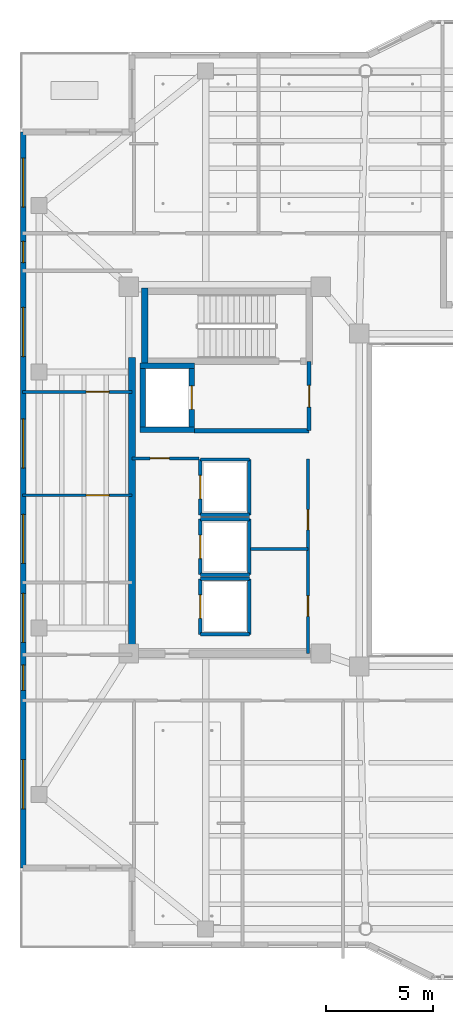
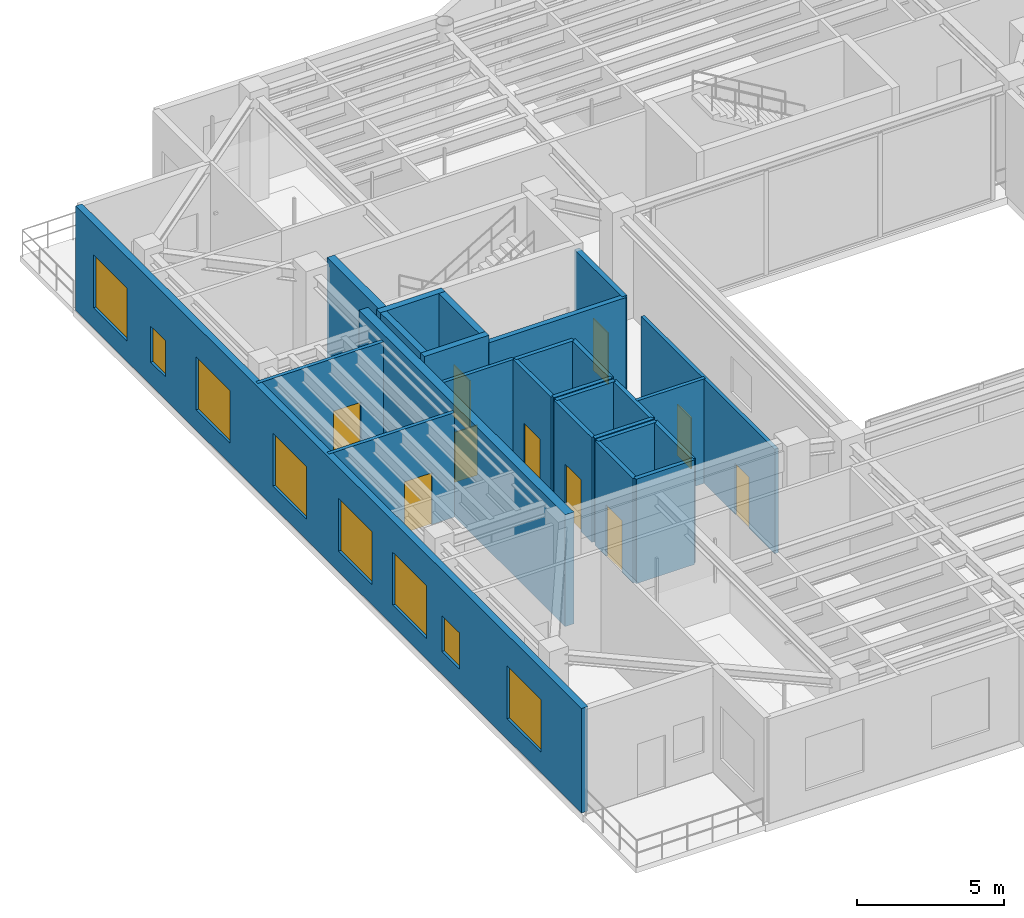
# One storey, part 12 of 23: 26 walls, 10 doors, 8 windows, 18 openings.
"""IFC4 building model written with IfcOpenShell, lengths in metres."""

from ifc_helpers import new_model, si_unit, direction, frame, frame_2d, origin, place, context, subcontext, project, spatial, rectangle, extrude, material, layer, layer_set, type_object, element, fill, save


model = new_model("IFC4")

# Units and contexts
model_context = context("Model", 3, precision=1e-05, world=origin(), true_north=direction((0.0, 1.0)))
body_context = subcontext(model_context, "Body", "Model", "MODEL_VIEW")
ifc_project = project(units=[si_unit("LENGTHUNIT", "METRE"), si_unit("AREAUNIT", "SQUARE_METRE"), si_unit("VOLUMEUNIT", "CUBIC_METRE"), si_unit("PLANEANGLEUNIT", "RADIAN"), si_unit("MASSUNIT", "GRAM", prefix="KILO")], contexts=[model_context])

# Site, building, storey
site_placement = place(None, origin())
site = spatial("IfcSite", under=ifc_project, at=site_placement, CompositionType="ELEMENT")
building_placement = place(site_placement, origin())
building = spatial("IfcBuilding", under=site, at=building_placement, Name="Tarnavaz Court Tower", CompositionType="ELEMENT")
storey_placement = place(building_placement, frame((0.0, 0.0, 227.10009765625)))
storey = spatial("IfcBuildingStorey", under=building, at=storey_placement, Name="L62", CompositionType="ELEMENT", Elevation=227.10009765625)

# Wall
ifc_material_1 = material(Name="Concrete C50/60", Category="concrete")
ifc_layer_1 = layer(ifc_material_1, 0.25)
ifc_layer_set_1 = layer_set([ifc_layer_1], Name="Concrete C50/60")
wall_type_1 = type_object("IfcWallType", Name="WL-CORE-250-C50", PredefinedType="SHEAR", material=ifc_layer_set_1)
wall_1_placement = place(storey_placement, frame((-17.949951171875, 3.175048828125, 0.0), z_axis=(0.0, 0.0, 1.0), x_axis=(0.0, 1.0, 0.0)))
element("IfcWall", 1, at=wall_1_placement, inside=storey, type_object=wall_type_1, Name="L62 Lift FL-W1 Shaft Wall 017", PredefinedType="SHEAR", context=body_context, shape_type="SweptSolid", body=[
    extrude(rectangle(XDim=3.25, YDim=0.25, at=frame_2d((1.625, 0.0))), origin(), (0.0, 0.0, 1.0), 4.64990234375),
])

# Wall, opening, door
wall_2_placement = place(storey_placement, frame((-15.64990234375, 3.175048828125, 0.0), z_axis=(0.0, 0.0, 1.0), x_axis=(0.0, 1.0, 0.0)))
wall_2 = element("IfcWall", 2, at=wall_2_placement, inside=storey, type_object=wall_type_1, Name="L62 Lift FL-W1 Shaft Wall 018", PredefinedType="SHEAR", context=body_context, shape_type="SweptSolid", body=[
    extrude(rectangle(XDim=3.25, YDim=0.25, at=frame_2d((1.625, 0.0))), origin(), (0.0, 0.0, 1.0), 4.64990234375),
])
opening_1_placement = place(wall_2_placement, frame((1.074951171875, 0.0, 0.0)))
opening_1 = element("IfcOpeningElement", 3, at=opening_1_placement, cuts=wall_2, Name="Opening LD1", PredefinedType="OPENING", context=body_context, shape_type="SweptSolid", body=[
    extrude(rectangle(XDim=1.10009765625, YDim=2.14990234375, at=frame_2d((0.550048828125, 1.074951171875))), frame((0.0, 0.135009765625, 0.0), z_axis=(0.0, -1.0, 0.0), x_axis=(1.0, 0.0, 0.0)), (0.0, 0.0, 1.0), 0.27001953125),
])
ifc_material_2 = material(Name="Stainless Steel", Category="steel")
door_type_1 = type_object("IfcDoorType", Name="DR-LD-1100", OperationType="NOTDEFINED", PredefinedType="DOOR", material=ifc_material_2)
door_1_placement = place(opening_1_placement, origin())
door_1 = element("IfcDoor", 4, at=door_1_placement, inside=storey, type_object=door_type_1, Name="L62 Lift Landing Door LD-FL-W1", OperationType="SLIDING_TO_LEFT", OverallHeight=2.14990234375, OverallWidth=1.10009765625, PredefinedType="DOOR", context=body_context, shape_type="SweptSolid", body=[
    extrude(rectangle(XDim=1.10009765625, YDim=2.14990234375, at=frame_2d((0.550048828125, 1.074951171875))), frame((0.0, 0.02490234375, 0.0), z_axis=(0.0, -1.0, 0.0), x_axis=(1.0, 0.0, 0.0)), (0.0, 0.0, 1.0), 0.050048828125),
])
fill(opening_1, door_1)

# Walls
for number, where, z_axis, x_axis, name in (
    (5, (-18.074951171875, 3.300048828125, 0.0), (0.0, 0.0, 1.0), (1.0, 0.0, 0.0), "L62 Lift FL-W1 Shaft Wall 019"),
    (6, (-18.074951171875, 6.300048828125, 0.0), (0.0, 0.0, 1.0), (1.0, 0.0, 0.0), "L62 Lift FL-W1 Shaft Wall 020"),
):
    element("IfcWall", number, at=place(storey_placement, frame(where, z_axis=z_axis, x_axis=x_axis)), inside=storey, type_object=wall_type_1, Name=name, PredefinedType="SHEAR", context=body_context, shape_type="SweptSolid", body=[
        extrude(rectangle(XDim=2.550048828125, YDim=0.25, at=frame_2d((1.27490234375, 0.0))), origin(), (0.0, 0.0, 1.0), 4.64990234375),
    ])
ifc_layer_2 = layer(ifc_material_1, 0.300048828125)
ifc_layer_set_2 = layer_set([ifc_layer_2], Name="Concrete C50/60")
wall_type_2 = type_object("IfcWallType", Name="WL-CORE-300-C50", PredefinedType="SHEAR", material=ifc_layer_set_2)
wall_3_placement = place(storey_placement, frame((-17.85009765625, 6.35009765625, 0.0), z_axis=(0.0, 0.0, 1.0), x_axis=(0.0, 1.0, 0.0)))
element("IfcWall", 7, at=wall_3_placement, inside=storey, type_object=wall_type_2, Name="L62 West Stair Core Wall 003", PredefinedType="SHEAR", context=body_context, shape_type="SweptSolid", body=[
    extrude(rectangle(XDim=3.58984375, YDim=0.300048828125, at=frame_2d((1.794921875, 0.0))), origin(), (0.0, 0.0, 1.0), 4.64990234375),
])
ifc_layer_3 = layer(ifc_material_1, 0.35009765625)
ifc_layer_set_3 = layer_set([ifc_layer_3], Name="Concrete C50/60")
wall_type_3 = type_object("IfcWallType", Name="WL-CORE-350-C50", PredefinedType="SHEAR", material=ifc_layer_set_3)
wall_4_placement = place(storey_placement, frame((-18.449951171875, -7.375, 0.0), z_axis=(0.0, 0.0, 1.0), x_axis=(0.0, 1.0, 0.0)))
element("IfcWall", 8, at=wall_4_placement, inside=storey, type_object=wall_type_3, Name="L62 West Core Shear Wall 045", PredefinedType="SHEAR", context=body_context, shape_type="SweptSolid", body=[
    extrude(rectangle(XDim=14.050048828125, YDim=0.35009765625, at=frame_2d((7.02490234375, 0.0))), origin(), (0.0, 0.0, 1.0), 4.64990234375),
])

# Wall, openings, windows
ifc_material_3 = material(Name="Precast Concrete C40/50", Category="concrete")
ifc_layer_4 = layer(ifc_material_3, 0.260009765625)
ifc_layer_set_4 = layer_set([ifc_layer_4], Name="Precast Concrete C40/50")
wall_type_4 = type_object("IfcWallType", Name="WL-EXT-260", PredefinedType="SOLIDWALL", material=ifc_layer_set_4)
wall_5_placement = place(storey_placement, frame((-23.550048828125, -17.25, 0.0), z_axis=(0.0, 0.0, 1.0), x_axis=(0.0, 1.0, 0.0)))
wall_5 = element("IfcWall", 9, at=wall_5_placement, inside=storey, type_object=wall_type_4, Name="L62 Exterior Terracotta Facade Wall 02", PredefinedType="SOLIDWALL", context=body_context, shape_type="SweptSolid", body=[
    extrude(rectangle(XDim=34.5, YDim=0.260009765625, at=frame_2d((17.25, 0.0))), origin(), (0.0, 0.0, 1.0), 4.349853515625),
])
opening_2_placement = place(wall_5_placement, frame((2.77490234375, 0.0, 0.85009765625)))
opening_2 = element("IfcOpeningElement", 10, at=opening_2_placement, cuts=wall_5, Name="Opening W12", PredefinedType="OPENING", context=body_context, shape_type="SweptSolid", body=[
    extrude(rectangle(XDim=2.300048828125, YDim=2.199951171875, at=frame_2d((1.14990234375, 1.10009765625))), frame((0.0, 0.139892578125, 0.0), z_axis=(0.0, -1.0, 0.0), x_axis=(1.0, 0.0, 0.0)), (0.0, 0.0, 1.0), 0.280029296875),
])
opening_3_placement = place(wall_5_placement, frame((8.324951171875, 0.0, 0.949951171875)))
opening_3 = element("IfcOpeningElement", 11, at=opening_3_placement, cuts=wall_5, Name="Opening W05", PredefinedType="OPENING", context=body_context, shape_type="SweptSolid", body=[
    extrude(rectangle(XDim=1.199951171875, YDim=1.5, at=frame_2d((0.60009765625, 0.75))), frame((0.0, 0.139892578125, 0.0), z_axis=(0.0, -1.0, 0.0), x_axis=(1.0, 0.0, 0.0)), (0.0, 0.0, 1.0), 0.280029296875),
])
opening_4_placement = place(wall_5_placement, frame((10.574951171875, 0.0, 0.85009765625)))
opening_4 = element("IfcOpeningElement", 12, at=opening_4_placement, cuts=wall_5, Name="Opening W12", PredefinedType="OPENING", context=body_context, shape_type="SweptSolid", body=[
    extrude(rectangle(XDim=2.300048828125, YDim=2.199951171875, at=frame_2d((1.14990234375, 1.10009765625))), frame((0.0, 0.139892578125, 0.0), z_axis=(0.0, -1.0, 0.0), x_axis=(1.0, 0.0, 0.0)), (0.0, 0.0, 1.0), 0.280029296875),
])
opening_5_placement = place(wall_5_placement, frame((14.27490234375, 0.0, 0.85009765625)))
opening_5 = element("IfcOpeningElement", 13, at=opening_5_placement, cuts=wall_5, Name="Opening W12", PredefinedType="OPENING", context=body_context, shape_type="SweptSolid", body=[
    extrude(rectangle(XDim=2.300048828125, YDim=2.199951171875, at=frame_2d((1.14990234375, 1.10009765625))), frame((0.0, 0.139892578125, 0.0), z_axis=(0.0, -1.0, 0.0), x_axis=(1.0, 0.0, 0.0)), (0.0, 0.0, 1.0), 0.280029296875),
])
opening_6_placement = place(wall_5_placement, frame((18.75, 0.0, 0.85009765625)))
opening_6 = element("IfcOpeningElement", 14, at=opening_6_placement, cuts=wall_5, Name="Opening W12", PredefinedType="OPENING", context=body_context, shape_type="SweptSolid", body=[
    extrude(rectangle(XDim=2.300048828125, YDim=2.199951171875, at=frame_2d((1.14990234375, 1.10009765625))), frame((0.0, 0.139892578125, 0.0), z_axis=(0.0, -1.0, 0.0), x_axis=(1.0, 0.0, 0.0)), (0.0, 0.0, 1.0), 0.280029296875),
])
opening_7_placement = place(wall_5_placement, frame((23.97509765625, 0.0, 0.85009765625)))
opening_7 = element("IfcOpeningElement", 15, at=opening_7_placement, cuts=wall_5, Name="Opening W12", PredefinedType="OPENING", context=body_context, shape_type="SweptSolid", body=[
    extrude(rectangle(XDim=2.300048828125, YDim=2.199951171875, at=frame_2d((1.14990234375, 1.10009765625))), frame((0.0, 0.139892578125, 0.0), z_axis=(0.0, -1.0, 0.0), x_axis=(1.0, 0.0, 0.0)), (0.0, 0.0, 1.0), 0.280029296875),
])
opening_8_placement = place(wall_5_placement, frame((28.375, 0.0, 0.949951171875)))
opening_8 = element("IfcOpeningElement", 16, at=opening_8_placement, cuts=wall_5, Name="Opening W14", PredefinedType="OPENING", context=body_context, shape_type="SweptSolid", body=[
    extrude(rectangle(XDim=1.0, YDim=1.5, at=frame_2d((0.5, 0.75))), frame((0.0, 0.139892578125, 0.0), z_axis=(0.0, -1.0, 0.0), x_axis=(1.0, 0.0, 0.0)), (0.0, 0.0, 1.0), 0.280029296875),
])
opening_9_placement = place(wall_5_placement, frame((30.97509765625, 0.0, 0.85009765625)))
opening_9 = element("IfcOpeningElement", 17, at=opening_9_placement, cuts=wall_5, Name="Opening W12", PredefinedType="OPENING", context=body_context, shape_type="SweptSolid", body=[
    extrude(rectangle(XDim=2.300048828125, YDim=2.199951171875, at=frame_2d((1.14990234375, 1.10009765625))), frame((0.0, 0.139892578125, 0.0), z_axis=(0.0, -1.0, 0.0), x_axis=(1.0, 0.0, 0.0)), (0.0, 0.0, 1.0), 0.280029296875),
])
ifc_material_4 = material(Name="Double-Glazed Solar Low-E Glass", Category="glass")
window_type_1 = type_object("IfcWindowType", Name="WN-APT-1000", PartitioningType="SINGLE_PANEL", PredefinedType="WINDOW", material=ifc_material_4)
window_1_placement = place(opening_8_placement, origin())
window_1 = element("IfcWindow", 18, at=window_1_placement, inside=storey, type_object=window_type_1, Name="L62 NW Terrace Lobby Window", OverallHeight=1.5, OverallWidth=1.0, PartitioningType="SINGLE_PANEL", PredefinedType="WINDOW", context=body_context, shape_type="SweptSolid", body=[
    extrude(rectangle(XDim=1.0, YDim=1.5, at=frame_2d((0.5, 0.75))), frame((0.0, 0.030029296875, 0.0), z_axis=(0.0, -1.0, 0.0), x_axis=(1.0, 0.0, 0.0)), (0.0, 0.0, 1.0), 0.06005859375),
])
fill(opening_8, window_1)
window_type_2 = type_object("IfcWindowType", Name="WN-APT-1200", PartitioningType="SINGLE_PANEL", PredefinedType="WINDOW", material=ifc_material_4)
window_2_placement = place(opening_3_placement, origin())
window_2 = element("IfcWindow", 19, at=window_2_placement, inside=storey, type_object=window_type_2, Name="L62 SW Terrace Lobby Window", OverallHeight=1.5, OverallWidth=1.199951171875, PartitioningType="SINGLE_PANEL", PredefinedType="WINDOW", context=body_context, shape_type="SweptSolid", body=[
    extrude(rectangle(XDim=1.199951171875, YDim=1.5, at=frame_2d((0.60009765625, 0.75))), frame((0.0, 0.030029296875, 0.0), z_axis=(0.0, -1.0, 0.0), x_axis=(1.0, 0.0, 0.0)), (0.0, 0.0, 1.0), 0.06005859375),
])
fill(opening_3, window_2)
window_type_3 = type_object("IfcWindowType", Name="WN-COM-2300", PartitioningType="DOUBLE_PANEL_VERTICAL", PredefinedType="WINDOW", material=ifc_material_4)
window_3_placement = place(opening_2_placement, origin())
window_3 = element("IfcWindow", 20, at=window_3_placement, inside=storey, type_object=window_type_3, Name="L62 L62 SW Terrace Salon Window", OverallHeight=2.199951171875, OverallWidth=2.300048828125, PartitioningType="SINGLE_PANEL", PredefinedType="WINDOW", context=body_context, shape_type="SweptSolid", body=[
    extrude(rectangle(XDim=2.300048828125, YDim=2.199951171875, at=frame_2d((1.14990234375, 1.10009765625))), frame((0.0, 0.030029296875, 0.0), z_axis=(0.0, -1.0, 0.0), x_axis=(1.0, 0.0, 0.0)), (0.0, 0.0, 1.0), 0.06005859375),
])
fill(opening_2, window_3)
window_4_placement = place(opening_4_placement, origin())
window_4 = element("IfcWindow", 21, at=window_4_placement, inside=storey, type_object=window_type_3, Name="L62 Suite W1 Gallery Room 1 Window", OverallHeight=2.199951171875, OverallWidth=2.300048828125, PartitioningType="SINGLE_PANEL", PredefinedType="WINDOW", context=body_context, shape_type="SweptSolid", body=[
    extrude(rectangle(XDim=2.300048828125, YDim=2.199951171875, at=frame_2d((1.14990234375, 1.10009765625))), frame((0.0, 0.030029296875, 0.0), z_axis=(0.0, -1.0, 0.0), x_axis=(1.0, 0.0, 0.0)), (0.0, 0.0, 1.0), 0.06005859375),
])
fill(opening_4, window_4)
window_5_placement = place(opening_5_placement, origin())
window_5 = element("IfcWindow", 22, at=window_5_placement, inside=storey, type_object=window_type_3, Name="L62 Suite W1 Study Room 2 Window", OverallHeight=2.199951171875, OverallWidth=2.300048828125, PartitioningType="SINGLE_PANEL", PredefinedType="WINDOW", context=body_context, shape_type="SweptSolid", body=[
    extrude(rectangle(XDim=2.300048828125, YDim=2.199951171875, at=frame_2d((1.14990234375, 1.10009765625))), frame((0.0, 0.030029296875, 0.0), z_axis=(0.0, -1.0, 0.0), x_axis=(1.0, 0.0, 0.0)), (0.0, 0.0, 1.0), 0.06005859375),
])
fill(opening_5, window_5)
window_6_placement = place(opening_6_placement, origin())
window_6 = element("IfcWindow", 23, at=window_6_placement, inside=storey, type_object=window_type_3, Name="L62 Suite W1 Seminar Room 3 Window", OverallHeight=2.199951171875, OverallWidth=2.300048828125, PartitioningType="SINGLE_PANEL", PredefinedType="WINDOW", context=body_context, shape_type="SweptSolid", body=[
    extrude(rectangle(XDim=2.300048828125, YDim=2.199951171875, at=frame_2d((1.14990234375, 1.10009765625))), frame((0.0, 0.030029296875, 0.0), z_axis=(0.0, -1.0, 0.0), x_axis=(1.0, 0.0, 0.0)), (0.0, 0.0, 1.0), 0.06005859375),
])
fill(opening_6, window_6)
window_7_placement = place(opening_7_placement, origin())
window_7 = element("IfcWindow", 24, at=window_7_placement, inside=storey, type_object=window_type_3, Name="L62 Suite W1 Classroom Room 4 Window", OverallHeight=2.199951171875, OverallWidth=2.300048828125, PartitioningType="SINGLE_PANEL", PredefinedType="WINDOW", context=body_context, shape_type="SweptSolid", body=[
    extrude(rectangle(XDim=2.300048828125, YDim=2.199951171875, at=frame_2d((1.14990234375, 1.10009765625))), frame((0.0, 0.030029296875, 0.0), z_axis=(0.0, -1.0, 0.0), x_axis=(1.0, 0.0, 0.0)), (0.0, 0.0, 1.0), 0.06005859375),
])
fill(opening_7, window_7)
window_8_placement = place(opening_9_placement, origin())
window_8 = element("IfcWindow", 25, at=window_8_placement, inside=storey, type_object=window_type_3, Name="L62 L62 NW Terrace Salon Window", OverallHeight=2.199951171875, OverallWidth=2.300048828125, PartitioningType="SINGLE_PANEL", PredefinedType="WINDOW", context=body_context, shape_type="SweptSolid", body=[
    extrude(rectangle(XDim=2.300048828125, YDim=2.199951171875, at=frame_2d((1.14990234375, 1.10009765625))), frame((0.0, 0.030029296875, 0.0), z_axis=(0.0, -1.0, 0.0), x_axis=(1.0, 0.0, 0.0)), (0.0, 0.0, 1.0), 0.06005859375),
])
fill(opening_9, window_8)

# Wall
ifc_material_5 = material(Name="Autoclaved Aerated Concrete Blockwork", Category="masonry")
ifc_layer_5 = layer(ifc_material_5, 0.199951171875)
ifc_layer_set_5 = layer_set([ifc_layer_5], Name="Autoclaved Aerated Concrete Blockwork")
wall_type_5 = type_object("IfcWallType", Name="WL-FIRE-200", PredefinedType="SOLIDWALL", material=ifc_layer_set_5)
wall_6_placement = place(storey_placement, frame((-15.550048828125, 3.25, 0.0), z_axis=(0.0, 0.0, 1.0), x_axis=(1.0, 0.0, 0.0)))
element("IfcWall", 26, at=wall_6_placement, inside=storey, type_object=wall_type_5, Name="L62 West Firefighting Lobby Wall 013", PredefinedType="SOLIDWALL", context=body_context, shape_type="SweptSolid", body=[
    extrude(rectangle(XDim=5.400146484375, YDim=0.199951171875, at=frame_2d((2.7001953125, 0.0))), origin(), (0.0, 0.0, 1.0), 4.349853515625),
])

# Wall, opening, door
wall_7_placement = place(storey_placement, frame((-10.14990234375, 3.25, 0.0), z_axis=(0.0, 0.0, 1.0), x_axis=(0.0, 1.0, 0.0)))
wall_7 = element("IfcWall", 27, at=wall_7_placement, inside=storey, type_object=wall_type_5, Name="L62 West Firefighting Lobby Wall 014", PredefinedType="SOLIDWALL", context=body_context, shape_type="SweptSolid", body=[
    extrude(rectangle(XDim=3.25, YDim=0.199951171875, at=frame_2d((1.625, 0.0))), origin(), (0.0, 0.0, 1.0), 4.349853515625),
])
opening_10_placement = place(wall_7_placement, frame((1.10009765625, 0.0, 0.0)))
opening_10 = element("IfcOpeningElement", 28, at=opening_10_placement, cuts=wall_7, Name="Opening D05", PredefinedType="OPENING", context=body_context, shape_type="SweptSolid", body=[
    extrude(rectangle(XDim=1.02001953125, YDim=2.14990234375, at=frame_2d((0.510009765625, 1.074951171875))), frame((0.0, 0.10986328125, 0.0), z_axis=(0.0, -1.0, 0.0), x_axis=(1.0, 0.0, 0.0)), (0.0, 0.0, 1.0), 0.219970703125),
])
ifc_material_6 = material(Name="Fire-Rated Hardwood Timber Core", Category="wood")
door_type_2 = type_object("IfcDoorType", Name="DR-FD60-1000", OperationType="NOTDEFINED", PredefinedType="DOOR", material=ifc_material_6)
door_2_placement = place(opening_10_placement, origin())
door_2 = element("IfcDoor", 29, at=door_2_placement, inside=storey, type_object=door_type_2, Name="L62 West Firefighting Lobby Door", OperationType="SINGLE_SWING_RIGHT", OverallHeight=2.14990234375, OverallWidth=1.02001953125, PredefinedType="DOOR", context=body_context, shape_type="SweptSolid", body=[
    extrude(rectangle(XDim=1.02001953125, YDim=2.14990234375, at=frame_2d((0.510009765625, 1.074951171875))), frame((0.0, 0.02490234375, 0.0), z_axis=(0.0, -1.0, 0.0), x_axis=(1.0, 0.0, 0.0)), (0.0, 0.0, 1.0), 0.050048828125),
])
fill(opening_10, door_2)

ifc_material_7 = material(Name="Gypsum Plasterboard Acoustic Partition", Category="masonry")
ifc_layer_6 = layer(ifc_material_7, 0.139892578125)
ifc_layer_set_6 = layer_set([ifc_layer_6], Name="Gypsum Plasterboard Acoustic Partition")
wall_type_6 = type_object("IfcWallType", Name="WL-PART-150", PredefinedType="PARTITIONING", material=ifc_layer_set_6)
wall_8_placement = place(storey_placement, frame((-18.449951171875, 1.949951171875, 0.0), z_axis=(0.0, 0.0, 1.0), x_axis=(1.0, 0.0, 0.0)))
wall_8 = element("IfcWall", 30, at=wall_8_placement, inside=storey, type_object=wall_type_6, Name="L62 Interior Partition 049", PredefinedType="PARTITIONING", context=body_context, shape_type="SweptSolid", body=[
    extrude(rectangle(XDim=3.14990234375, YDim=0.139892578125, at=frame_2d((1.574951171875, 0.0))), origin(), (0.0, 0.0, 1.0), 4.349853515625),
])
opening_11_placement = place(wall_8_placement, frame((0.85009765625, 0.0, 0.0)))
opening_11 = element("IfcOpeningElement", 31, at=opening_11_placement, cuts=wall_8, Name="Opening D09", PredefinedType="OPENING", context=body_context, shape_type="SweptSolid", body=[
    extrude(rectangle(XDim=0.89990234375, YDim=2.080078125, at=frame_2d((0.449951171875, 1.0400390625))), frame((0.0, 0.079833984375, 0.0), z_axis=(0.0, -1.0, 0.0), x_axis=(1.0, 0.0, 0.0)), (0.0, 0.0, 1.0), 0.159912109375),
])
door_type_3 = type_object("IfcDoorType", Name="DR-FD30-900", OperationType="NOTDEFINED", PredefinedType="DOOR", material=ifc_material_6)
door_3_placement = place(opening_11_placement, origin())
door_3 = element("IfcDoor", 32, at=door_3_placement, inside=storey, type_object=door_type_3, Name="L62 West Sky Store Door", OperationType="SINGLE_SWING_RIGHT", OverallHeight=2.080078125, OverallWidth=0.89990234375, PredefinedType="DOOR", context=body_context, shape_type="SweptSolid", body=[
    extrude(rectangle(XDim=0.89990234375, YDim=2.080078125, at=frame_2d((0.449951171875, 1.0400390625))), frame((0.0, 0.02490234375, 0.0), z_axis=(0.0, -1.0, 0.0), x_axis=(1.0, 0.0, 0.0)), (0.0, 0.0, 1.0), 0.050048828125),
])
fill(opening_11, door_3)

# Wall, openings, doors
wall_9_placement = place(storey_placement, frame((-10.199951171875, -7.199951171875, 0.0), z_axis=(0.0, 0.0, 1.0), x_axis=(0.0, 1.0, 0.0)))
wall_9 = element("IfcWall", 33, at=wall_9_placement, inside=storey, type_object=wall_type_6, Name="L62 West Reclaimed Core Wall 050", PredefinedType="PARTITIONING", context=body_context, shape_type="SweptSolid", body=[
    extrude(rectangle(XDim=9.119873046875, YDim=0.139892578125, at=frame_2d((4.56005859375, 0.0))), origin(), (0.0, 0.0, 1.0), 4.349853515625),
])
opening_12_placement = place(wall_9_placement, frame((1.75, 0.0, 0.0)))
opening_12 = element("IfcOpeningElement", 34, at=opening_12_placement, cuts=wall_9, Name="Opening D08", PredefinedType="OPENING", context=body_context, shape_type="SweptSolid", body=[
    extrude(rectangle(XDim=0.949951171875, YDim=2.1201171875, at=frame_2d((0.47509765625, 1.06005859375))), frame((0.0, 0.079833984375, 0.0), z_axis=(0.0, -1.0, 0.0), x_axis=(1.0, 0.0, 0.0)), (0.0, 0.0, 1.0), 0.159912109375),
])
opening_13_placement = place(wall_9_placement, frame((5.800048828125, 0.0, 0.0)))
opening_13 = element("IfcOpeningElement", 35, at=opening_13_placement, cuts=wall_9, Name="Opening D08", PredefinedType="OPENING", context=body_context, shape_type="SweptSolid", body=[
    extrude(rectangle(XDim=0.949951171875, YDim=2.1201171875, at=frame_2d((0.47509765625, 1.06005859375))), frame((0.0, 0.079833984375, 0.0), z_axis=(0.0, -1.0, 0.0), x_axis=(1.0, 0.0, 0.0)), (0.0, 0.0, 1.0), 0.159912109375),
])
door_type_4 = type_object("IfcDoorType", Name="DR-FD30-950", OperationType="NOTDEFINED", PredefinedType="DOOR", material=ifc_material_6)
door_4_placement = place(opening_12_placement, origin())
door_4 = element("IfcDoor", 36, at=door_4_placement, inside=storey, type_object=door_type_4, Name="L62 West Study Room Door", OperationType="SINGLE_SWING_LEFT", OverallHeight=2.1201171875, OverallWidth=0.949951171875, PredefinedType="DOOR", context=body_context, shape_type="SweptSolid", body=[
    extrude(rectangle(XDim=0.949951171875, YDim=2.1201171875, at=frame_2d((0.47509765625, 1.06005859375))), frame((0.0, 0.02490234375, 0.0), z_axis=(0.0, -1.0, 0.0), x_axis=(1.0, 0.0, 0.0)), (0.0, 0.0, 1.0), 0.050048828125),
])
fill(opening_12, door_4)
door_5_placement = place(opening_13_placement, origin())
door_5 = element("IfcDoor", 37, at=door_5_placement, inside=storey, type_object=door_type_4, Name="L62 West Laundry Room Door", OperationType="SINGLE_SWING_RIGHT", OverallHeight=2.1201171875, OverallWidth=0.949951171875, PredefinedType="DOOR", context=body_context, shape_type="SweptSolid", body=[
    extrude(rectangle(XDim=0.949951171875, YDim=2.1201171875, at=frame_2d((0.47509765625, 1.06005859375))), frame((0.0, 0.02490234375, 0.0), z_axis=(0.0, -1.0, 0.0), x_axis=(1.0, 0.0, 0.0)), (0.0, 0.0, 1.0), 0.050048828125),
])
fill(opening_13, door_5)

# Wall
wall_10_placement = place(storey_placement, frame((-12.89990234375, -2.300048828125, 0.0), z_axis=(0.0, 0.0, 1.0), x_axis=(1.0, 0.0, 0.0)))
element("IfcWall", 38, at=wall_10_placement, inside=storey, type_object=wall_type_6, Name="L62 Interior Partition 051", PredefinedType="PARTITIONING", context=body_context, shape_type="SweptSolid", body=[
    extrude(rectangle(XDim=2.699951171875, YDim=0.139892578125, at=frame_2d((1.35009765625, 0.0))), origin(), (0.0, 0.0, 1.0), 4.349853515625),
])

# Wall, opening, door
wall_11_placement = place(storey_placement, frame((-23.580078125, 0.222900390625, 0.0), z_axis=(0.0, 0.0, 1.0), x_axis=(1.0, 0.0, 0.0)))
wall_11 = element("IfcWall", 39, at=wall_11_placement, inside=storey, type_object=wall_type_6, Name="L62 Interior Partition 084", PredefinedType="PARTITIONING", context=body_context, shape_type="SweptSolid", body=[
    extrude(rectangle(XDim=5.130126953125, YDim=0.139892578125, at=frame_2d((2.56494140625, 0.0))), origin(), (0.0, 0.0, 1.0), 4.349853515625),
])
opening_14_placement = place(wall_11_placement, frame((2.97998046875, 0.0, 0.0)))
opening_14 = element("IfcOpeningElement", 40, at=opening_14_placement, cuts=wall_11, Name="Opening D12", PredefinedType="OPENING", context=body_context, shape_type="SweptSolid", body=[
    extrude(rectangle(XDim=1.080078125, YDim=2.14990234375, at=frame_2d((0.5400390625, 1.074951171875))), frame((0.0, 0.079833984375, 0.0), z_axis=(0.0, -1.0, 0.0), x_axis=(1.0, 0.0, 0.0)), (0.0, 0.0, 1.0), 0.159912109375),
])
ifc_material_8 = material(Name="Engineered Oak Timber", Category="wood")
door_type_5 = type_object("IfcDoorType", Name="DR-INT-1100", OperationType="NOTDEFINED", PredefinedType="DOOR", material=ifc_material_8)
door_6_placement = place(opening_14_placement, origin())
door_6 = element("IfcDoor", 41, at=door_6_placement, inside=storey, type_object=door_type_5, Name="L62 West Suite Room 3 Door", OperationType="SINGLE_SWING_LEFT", OverallHeight=2.14990234375, OverallWidth=1.080078125, PredefinedType="DOOR", context=body_context, shape_type="SweptSolid", body=[
    extrude(rectangle(XDim=1.080078125, YDim=2.14990234375, at=frame_2d((0.5400390625, 1.074951171875))), frame((0.0, 0.02490234375, 0.0), z_axis=(0.0, -1.0, 0.0), x_axis=(1.0, 0.0, 0.0)), (0.0, 0.0, 1.0), 0.050048828125),
])
fill(opening_14, door_6)

wall_12_placement = place(storey_placement, frame((-23.580078125, 5.070068359375, 0.0), z_axis=(0.0, 0.0, 1.0), x_axis=(1.0, 0.0, 0.0)))
wall_12 = element("IfcWall", 42, at=wall_12_placement, inside=storey, type_object=wall_type_6, Name="L62 Interior Partition 085", PredefinedType="PARTITIONING", context=body_context, shape_type="SweptSolid", body=[
    extrude(rectangle(XDim=5.130126953125, YDim=0.139892578125, at=frame_2d((2.56494140625, 0.0))), origin(), (0.0, 0.0, 1.0), 4.349853515625),
])
opening_15_placement = place(wall_12_placement, frame((2.97998046875, 0.0, 0.0)))
opening_15 = element("IfcOpeningElement", 43, at=opening_15_placement, cuts=wall_12, Name="Opening D12", PredefinedType="OPENING", context=body_context, shape_type="SweptSolid", body=[
    extrude(rectangle(XDim=1.080078125, YDim=2.14990234375, at=frame_2d((0.5400390625, 1.074951171875))), frame((0.0, 0.079833984375, 0.0), z_axis=(0.0, -1.0, 0.0), x_axis=(1.0, 0.0, 0.0)), (0.0, 0.0, 1.0), 0.159912109375),
])
door_7_placement = place(opening_15_placement, origin())
door_7 = element("IfcDoor", 44, at=door_7_placement, inside=storey, type_object=door_type_5, Name="L62 West Suite Room 4 Door", OperationType="SINGLE_SWING_RIGHT", OverallHeight=2.14990234375, OverallWidth=1.080078125, PredefinedType="DOOR", context=body_context, shape_type="SweptSolid", body=[
    extrude(rectangle(XDim=1.080078125, YDim=2.14990234375, at=frame_2d((0.5400390625, 1.074951171875))), frame((0.0, 0.02490234375, 0.0), z_axis=(0.0, -1.0, 0.0), x_axis=(1.0, 0.0, 0.0)), (0.0, 0.0, 1.0), 0.050048828125),
])
fill(opening_15, door_7)

ifc_layer_7 = layer(ifc_material_5, 0.159912109375)
ifc_layer_set_7 = layer_set([ifc_layer_7], Name="Autoclaved Aerated Concrete Blockwork")
wall_type_7 = type_object("IfcWallType", Name="WL-SHAFT-150", PredefinedType="SOLIDWALL", material=ifc_layer_set_7)
wall_13_placement = place(storey_placement, frame((-15.25, -6.300048828125, 0.0), z_axis=(0.0, 0.0, 1.0), x_axis=(0.0, 1.0, 0.0)))
wall_13 = element("IfcWall", 45, at=wall_13_placement, inside=storey, type_object=wall_type_7, Name="L62 Lift PL-H1 Shaft Wall 021", PredefinedType="SOLIDWALL", context=body_context, shape_type="SweptSolid", body=[
    extrude(rectangle(XDim=2.60009765625, YDim=0.159912109375, at=frame_2d((1.300048828125, 0.0))), origin(), (0.0, 0.0, 1.0), 4.349853515625),
])
opening_16_placement = place(wall_13_placement, frame((0.75, 0.0, 0.0)))
opening_16 = element("IfcOpeningElement", 46, at=opening_16_placement, cuts=wall_13, Name="Opening LD1", PredefinedType="OPENING", context=body_context, shape_type="SweptSolid", body=[
    extrude(rectangle(XDim=1.10009765625, YDim=2.14990234375, at=frame_2d((0.550048828125, 1.074951171875))), frame((0.0, 0.08984375, 0.0), z_axis=(0.0, -1.0, 0.0), x_axis=(1.0, 0.0, 0.0)), (0.0, 0.0, 1.0), 0.179931640625),
])
door_8_placement = place(opening_16_placement, origin())
door_8 = element("IfcDoor", 47, at=door_8_placement, inside=storey, type_object=door_type_1, Name="L62 Lift Landing Door LD-PL-H1", OperationType="SLIDING_TO_LEFT", OverallHeight=2.14990234375, OverallWidth=1.10009765625, PredefinedType="DOOR", context=body_context, shape_type="SweptSolid", body=[
    extrude(rectangle(XDim=1.10009765625, YDim=2.14990234375, at=frame_2d((0.550048828125, 1.074951171875))), frame((0.0, 0.02490234375, 0.0), z_axis=(0.0, -1.0, 0.0), x_axis=(1.0, 0.0, 0.0)), (0.0, 0.0, 1.0), 0.050048828125),
])
fill(opening_16, door_8)

# Walls
wall_14_placement = place(storey_placement, frame((-12.949951171875, -6.300048828125, 0.0), z_axis=(0.0, 0.0, 1.0), x_axis=(0.0, 1.0, 0.0)))
element("IfcWall", 48, at=wall_14_placement, inside=storey, type_object=wall_type_7, Name="L62 Lift PL-H1 Shaft Wall 022", PredefinedType="SOLIDWALL", context=body_context, shape_type="SweptSolid", body=[
    extrude(rectangle(XDim=2.60009765625, YDim=0.159912109375, at=frame_2d((1.300048828125, 0.0))), origin(), (0.0, 0.0, 1.0), 4.349853515625),
])
for number, where, z_axis, x_axis, name in (
    (49, (-15.25, -6.300048828125, 0.0), (0.0, 0.0, 1.0), (1.0, 0.0, 0.0), "L62 Lift PL-H1 Shaft Wall 023"),
    (50, (-15.25, -3.699951171875, 0.0), (0.0, 0.0, 1.0), (1.0, 0.0, 0.0), "L62 Lift PL-H1 Shaft Wall 024"),
):
    element("IfcWall", number, at=place(storey_placement, frame(where, z_axis=z_axis, x_axis=x_axis)), inside=storey, type_object=wall_type_7, Name=name, PredefinedType="SOLIDWALL", context=body_context, shape_type="SweptSolid", body=[
        extrude(rectangle(XDim=2.300048828125, YDim=0.159912109375, at=frame_2d((1.14990234375, 0.0))), origin(), (0.0, 0.0, 1.0), 4.349853515625),
    ])

# Wall, opening, door
wall_15_placement = place(storey_placement, frame((-15.25, -3.5, 0.0), z_axis=(0.0, 0.0, 1.0), x_axis=(0.0, 1.0, 0.0)))
wall_15 = element("IfcWall", 51, at=wall_15_placement, inside=storey, type_object=wall_type_7, Name="L62 Lift PL-H2 Shaft Wall 025", PredefinedType="SOLIDWALL", context=body_context, shape_type="SweptSolid", body=[
    extrude(rectangle(XDim=2.60009765625, YDim=0.159912109375, at=frame_2d((1.300048828125, 0.0))), origin(), (0.0, 0.0, 1.0), 4.349853515625),
])
opening_17_placement = place(wall_15_placement, frame((0.75, 0.0, 0.0)))
opening_17 = element("IfcOpeningElement", 52, at=opening_17_placement, cuts=wall_15, Name="Opening LD1", PredefinedType="OPENING", context=body_context, shape_type="SweptSolid", body=[
    extrude(rectangle(XDim=1.10009765625, YDim=2.14990234375, at=frame_2d((0.550048828125, 1.074951171875))), frame((0.0, 0.08984375, 0.0), z_axis=(0.0, -1.0, 0.0), x_axis=(1.0, 0.0, 0.0)), (0.0, 0.0, 1.0), 0.179931640625),
])
door_9_placement = place(opening_17_placement, origin())
door_9 = element("IfcDoor", 53, at=door_9_placement, inside=storey, type_object=door_type_1, Name="L62 Lift Landing Door LD-PL-H2", OperationType="SLIDING_TO_LEFT", OverallHeight=2.14990234375, OverallWidth=1.10009765625, PredefinedType="DOOR", context=body_context, shape_type="SweptSolid", body=[
    extrude(rectangle(XDim=1.10009765625, YDim=2.14990234375, at=frame_2d((0.550048828125, 1.074951171875))), frame((0.0, 0.02490234375, 0.0), z_axis=(0.0, -1.0, 0.0), x_axis=(1.0, 0.0, 0.0)), (0.0, 0.0, 1.0), 0.050048828125),
])
fill(opening_17, door_9)

# Walls
wall_16_placement = place(storey_placement, frame((-12.949951171875, -3.5, 0.0), z_axis=(0.0, 0.0, 1.0), x_axis=(0.0, 1.0, 0.0)))
element("IfcWall", 54, at=wall_16_placement, inside=storey, type_object=wall_type_7, Name="L62 Lift PL-H2 Shaft Wall 026", PredefinedType="SOLIDWALL", context=body_context, shape_type="SweptSolid", body=[
    extrude(rectangle(XDim=2.60009765625, YDim=0.159912109375, at=frame_2d((1.300048828125, 0.0))), origin(), (0.0, 0.0, 1.0), 4.349853515625),
])
for number, where, z_axis, x_axis, name in (
    (55, (-15.25, -3.5, 0.0), (0.0, 0.0, 1.0), (1.0, 0.0, 0.0), "L62 Lift PL-H2 Shaft Wall 027"),
    (56, (-15.25, -0.89990234375, 0.0), (0.0, 0.0, 1.0), (1.0, 0.0, 0.0), "L62 Lift PL-H2 Shaft Wall 028"),
):
    element("IfcWall", number, at=place(storey_placement, frame(where, z_axis=z_axis, x_axis=x_axis)), inside=storey, type_object=wall_type_7, Name=name, PredefinedType="SOLIDWALL", context=body_context, shape_type="SweptSolid", body=[
        extrude(rectangle(XDim=2.300048828125, YDim=0.159912109375, at=frame_2d((1.14990234375, 0.0))), origin(), (0.0, 0.0, 1.0), 4.349853515625),
    ])

# Wall, opening, door
wall_17_placement = place(storey_placement, frame((-15.25, -0.699951171875, 0.0), z_axis=(0.0, 0.0, 1.0), x_axis=(0.0, 1.0, 0.0)))
wall_17 = element("IfcWall", 57, at=wall_17_placement, inside=storey, type_object=wall_type_7, Name="L62 Lift PL-H3 Shaft Wall 029", PredefinedType="SOLIDWALL", context=body_context, shape_type="SweptSolid", body=[
    extrude(rectangle(XDim=2.599853515625, YDim=0.159912109375, at=frame_2d((1.2998046875, 0.0))), origin(), (0.0, 0.0, 1.0), 4.349853515625),
])
opening_18_placement = place(wall_17_placement, frame((0.75, 0.0, 0.0)))
opening_18 = element("IfcOpeningElement", 58, at=opening_18_placement, cuts=wall_17, Name="Opening LD1", PredefinedType="OPENING", context=body_context, shape_type="SweptSolid", body=[
    extrude(rectangle(XDim=1.10009765625, YDim=2.14990234375, at=frame_2d((0.550048828125, 1.074951171875))), frame((0.0, 0.08984375, 0.0), z_axis=(0.0, -1.0, 0.0), x_axis=(1.0, 0.0, 0.0)), (0.0, 0.0, 1.0), 0.179931640625),
])
door_10_placement = place(opening_18_placement, origin())
door_10 = element("IfcDoor", 59, at=door_10_placement, inside=storey, type_object=door_type_1, Name="L62 Lift Landing Door LD-PL-H3", OperationType="SLIDING_TO_LEFT", OverallHeight=2.14990234375, OverallWidth=1.10009765625, PredefinedType="DOOR", context=body_context, shape_type="SweptSolid", body=[
    extrude(rectangle(XDim=1.10009765625, YDim=2.14990234375, at=frame_2d((0.550048828125, 1.074951171875))), frame((0.0, 0.02490234375, 0.0), z_axis=(0.0, -1.0, 0.0), x_axis=(1.0, 0.0, 0.0)), (0.0, 0.0, 1.0), 0.050048828125),
])
fill(opening_18, door_10)

# Walls
wall_18_placement = place(storey_placement, frame((-12.949951171875, -0.699951171875, 0.0), z_axis=(0.0, 0.0, 1.0), x_axis=(0.0, 1.0, 0.0)))
element("IfcWall", 60, at=wall_18_placement, inside=storey, type_object=wall_type_7, Name="L62 Lift PL-H3 Shaft Wall 030", PredefinedType="SOLIDWALL", context=body_context, shape_type="SweptSolid", body=[
    extrude(rectangle(XDim=2.599853515625, YDim=0.159912109375, at=frame_2d((1.2998046875, 0.0))), origin(), (0.0, 0.0, 1.0), 4.349853515625),
])
for number, where, z_axis, x_axis, name in (
    (61, (-15.25, -0.699951171875, 0.0), (0.0, 0.0, 1.0), (1.0, 0.0, 0.0), "L62 Lift PL-H3 Shaft Wall 031"),
    (62, (-15.25, 1.89990234375, 0.0), (0.0, 0.0, 1.0), (1.0, 0.0, 0.0), "L62 Lift PL-H3 Shaft Wall 032"),
):
    element("IfcWall", number, at=place(storey_placement, frame(where, z_axis=z_axis, x_axis=x_axis)), inside=storey, type_object=wall_type_7, Name=name, PredefinedType="SOLIDWALL", context=body_context, shape_type="SweptSolid", body=[
        extrude(rectangle(XDim=2.300048828125, YDim=0.159912109375, at=frame_2d((1.14990234375, 0.0))), origin(), (0.0, 0.0, 1.0), 4.349853515625),
    ])

save(model, "model.ifc")
